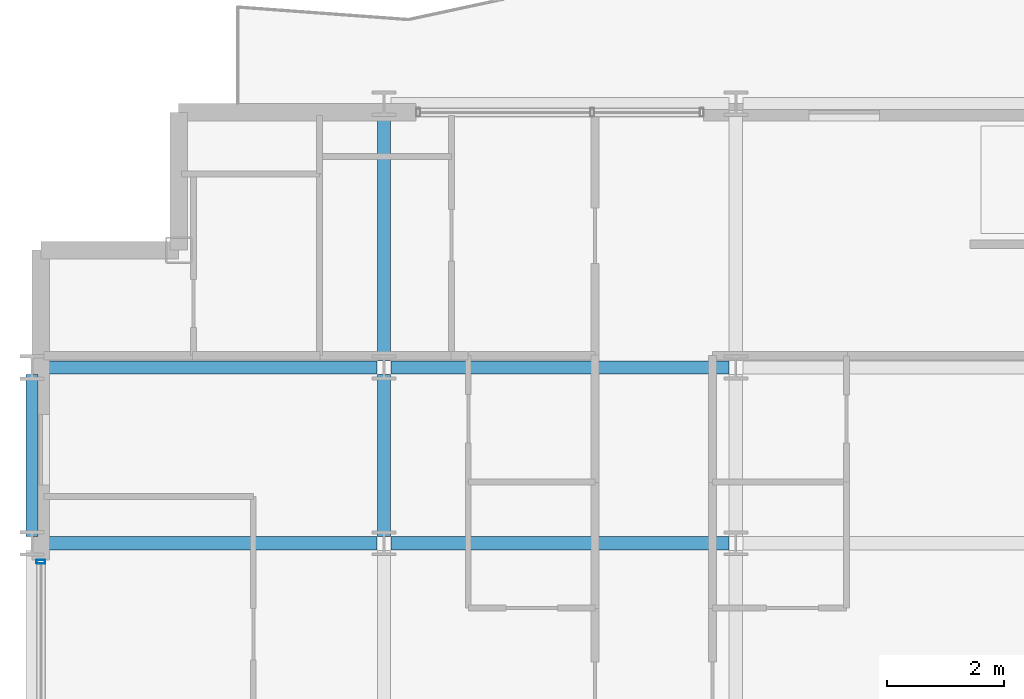
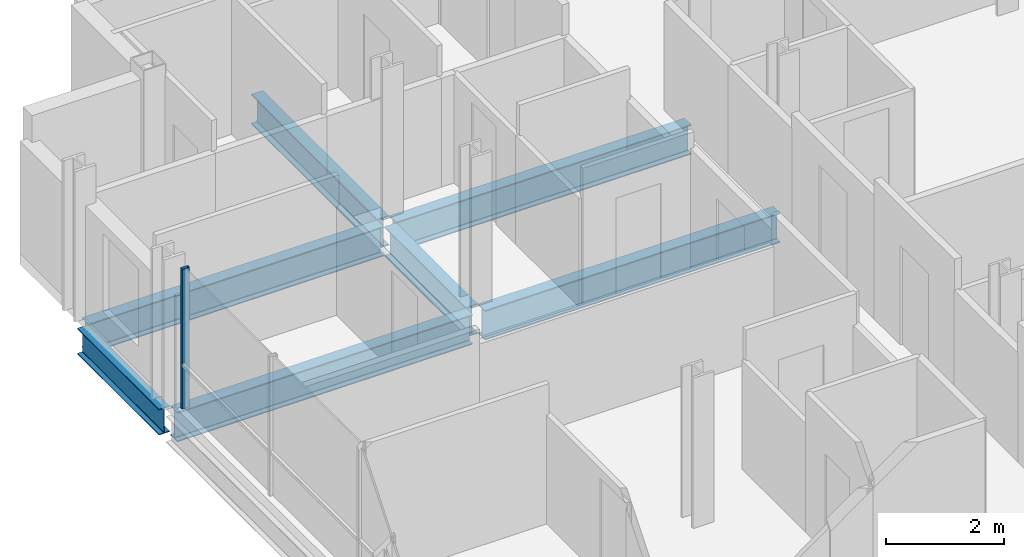
# One storey, part 7 of 41: 7 beams, 1 member, 1 element without a shape of its own.
"""IFC4 building model written with IfcOpenShell, lengths in metres."""

from ifc_helpers import new_model, si_unit, direction, frame, origin, origin_2d, place, context, subcontext, project, spatial, hollow_rectangle, i_section, extrude, material, layer, layer_set, material_profile, profile_set, type_object, element, aggregate, save


model = new_model("IFC4")

# Units and contexts
model_context = context("Model", 3, precision=1e-05, world=origin(), true_north=direction((0.0, 1.0)))
body_context = subcontext(model_context, "Body", "Model", "MODEL_VIEW")
ifc_project = project(units=[si_unit("LENGTHUNIT", "METRE"), si_unit("AREAUNIT", "SQUARE_METRE"), si_unit("VOLUMEUNIT", "CUBIC_METRE"), si_unit("PLANEANGLEUNIT", "RADIAN"), si_unit("MASSUNIT", "GRAM", prefix="KILO")], contexts=[model_context])

# Site, building, storey
site_placement = place(None, origin())
site = spatial("IfcSite", under=ifc_project, at=site_placement, CompositionType="ELEMENT")
building_placement = place(site_placement, origin())
building = spatial("IfcBuilding", under=site, at=building_placement, Name="Brevholm Reach", CompositionType="ELEMENT")
storey_placement = place(building_placement, frame((0.0, 0.0, 112.800048828125)))
storey = spatial("IfcBuildingStorey", under=building, at=storey_placement, Name="L33", CompositionType="ELEMENT", Elevation=112.800048828125)

# Beams
ifc_material_1 = material(Name="Structural Steel S355J2", Category="steel")
ifc_material_profile_1 = material_profile(ifc_material_1, i_section(OverallWidth=0.209228515625, OverallDepth=0.533203125, WebThickness=0.010009765625, FlangeThickness=0.015625, FilletRadius=0.0126953125, at=origin_2d()), Name="UKB 533x210x92")
ifc_profile_set_1 = profile_set([ifc_material_profile_1], Name="Structural Steel S355J2")
beam_type_1 = type_object("IfcBeamType", Name="BM-SP533", PredefinedType="SPANDREL", material=ifc_profile_set_1)
beam_1_placement = place(storey_placement, frame((0.0, 23.6201171875, -0.486572265625), z_axis=(0.0, 1.0, 0.0), x_axis=(-1.0, 0.0, 0.0)))
element("IfcBeam", 1, at=beam_1_placement, inside=storey, type_object=beam_type_1, Name="L33 SP-02 Framing Beam", PredefinedType="SPANDREL", context=body_context, shape_type="SweptSolid", body=[
    extrude(i_section(OverallWidth=0.209228515625, OverallDepth=0.533203125, WebThickness=0.010009765625, FlangeThickness=0.015625, FilletRadius=0.0126953125, at=origin_2d()), origin(), (0.0, 0.0, 1.0), 2.759765625),
])
ifc_material_2 = material(Name="Structural Steel S355J2", Category="steel")
ifc_material_profile_2 = material_profile(ifc_material_2, i_section(OverallWidth=0.22900390625, OverallDepth=0.6123046875, WebThickness=0.011962890625, FlangeThickness=0.01953125, FilletRadius=0.0126953125, at=origin_2d()), Name="UKB 610x229x125")
ifc_profile_set_2 = profile_set([ifc_material_profile_2], Name="Structural Steel S355J2")
beam_type_2 = type_object("IfcBeamType", Name="BM-SP610", PredefinedType="SPANDREL", material=ifc_profile_set_2)
for number, where, z_axis, x_axis, name in (
    (2, (0.1201171875, 23.5, -0.526123046875), (1.0, 0.0, 0.0), (0.0, 1.0, 0.0), "L33 SP-01 Framing Beam"),
    (3, (6.1201171875, 23.5, -0.526123046875), (1.0, 0.0, 0.0), (0.0, 1.0, 0.0), "L33 SP-01 Framing Beam"),
    (4, (0.1201171875, 26.5, -0.526123046875), (1.0, 0.0, 0.0), (0.0, 1.0, 0.0), "L33 SP-01 Framing Beam"),
    (5, (6.1201171875, 26.5, -0.526123046875), (1.0, 0.0, 0.0), (0.0, 1.0, 0.0), "L33 SP-01 Framing Beam"),
):
    element("IfcBeam", number, at=place(storey_placement, frame(where, z_axis=z_axis, x_axis=x_axis)), inside=storey, type_object=beam_type_2, Name=name, PredefinedType="SPANDREL", context=body_context, shape_type="SweptSolid", body=[
        extrude(i_section(OverallWidth=0.22900390625, OverallDepth=0.6123046875, WebThickness=0.011962890625, FlangeThickness=0.01953125, FilletRadius=0.0126953125, at=origin_2d()), origin(), (0.0, 0.0, 1.0), 5.759765625),
    ])
beam_2_placement = place(storey_placement, frame((6.0, 23.6201171875, -0.526123046875), z_axis=(0.0, 1.0, 0.0), x_axis=(-1.0, 0.0, 0.0)))
element("IfcBeam", 6, at=beam_2_placement, inside=storey, type_object=beam_type_2, Name="L33 SP-01 Framing Beam", PredefinedType="SPANDREL", context=body_context, shape_type="SweptSolid", body=[
    extrude(i_section(OverallWidth=0.22900390625, OverallDepth=0.6123046875, WebThickness=0.011962890625, FlangeThickness=0.01953125, FilletRadius=0.0126953125, at=origin_2d()), origin(), (0.0, 0.0, 1.0), 2.759765625),
])
beam_3_placement = place(storey_placement, frame((6.0, 26.6201171875, -0.526123046875), z_axis=(0.0, 1.0, 0.0), x_axis=(-1.0, 0.0, 0.0)))
element("IfcBeam", 7, at=beam_3_placement, inside=storey, type_object=beam_type_2, Name="L33 SP-01 Framing Beam", PredefinedType="SPANDREL", context=body_context, shape_type="SweptSolid", body=[
    extrude(i_section(OverallWidth=0.22900390625, OverallDepth=0.6123046875, WebThickness=0.011962890625, FlangeThickness=0.01953125, FilletRadius=0.0126953125, at=origin_2d()), origin(), (0.0, 0.0, 1.0), 4.259765625),
])

# Curtain wall, member
ifc_material_3 = material(Name="Dark Anodised Aluminium 6063-T6 and Solar-Control Glass", Category="aluminium")
ifc_layer = layer(ifc_material_3, 0.14990234375)
ifc_layer_set = layer_set([ifc_layer], Name="Dark Anodised Aluminium 6063-T6 and Solar-Control Glass")
curtain_wall_type = type_object("IfcCurtainWallType", Name="CW-01", PredefinedType="NOTDEFINED", material=ifc_layer_set)
curtain_wall_placement = place(storey_placement, origin())
curtain_wall = element("IfcCurtainWall", 8, at=curtain_wall_placement, inside=storey, type_object=curtain_wall_type, Name="L33 Curtain Wall CW-01", PredefinedType="NOTDEFINED")
ifc_material_4 = material(Name="Dark Anodised Aluminium 6063-T6", Category="aluminium")
ifc_material_profile_3 = material_profile(ifc_material_4, hollow_rectangle(XDim=0.06494140625, YDim=0.14990234375, WallThickness=0.0048828125, InnerFilletRadius=0.0048828125, OuterFilletRadius=0.010009765625, at=origin_2d()), Name="RHS 150x65x5")
ifc_profile_set_3 = profile_set([ifc_material_profile_3], Name="Dark Anodised Aluminium 6063-T6")
member_type = type_object("IfcMemberType", Name="CWM-150", PredefinedType="MULLION", material=ifc_profile_set_3)
member_placement = place(storey_placement, frame((0.14990234375, 23.1875, 0.0), z_axis=(0.0, 0.0, 1.0), x_axis=(0.0, -1.0, 0.0)))
member = element("IfcMember", 9, at=member_placement, type_object=member_type, Name="CM-150 Mullion 1", PredefinedType="MULLION", context=body_context, shape_type="SweptSolid", body=[
    extrude(hollow_rectangle(XDim=0.06494140625, YDim=0.14990234375, WallThickness=0.0048828125, InnerFilletRadius=0.0048828125, OuterFilletRadius=0.010009765625, at=origin_2d()), origin(), (0.0, 0.0, 1.0), 2.8798828125),
])
aggregate(curtain_wall, [member])

save(model, "model.ifc")
